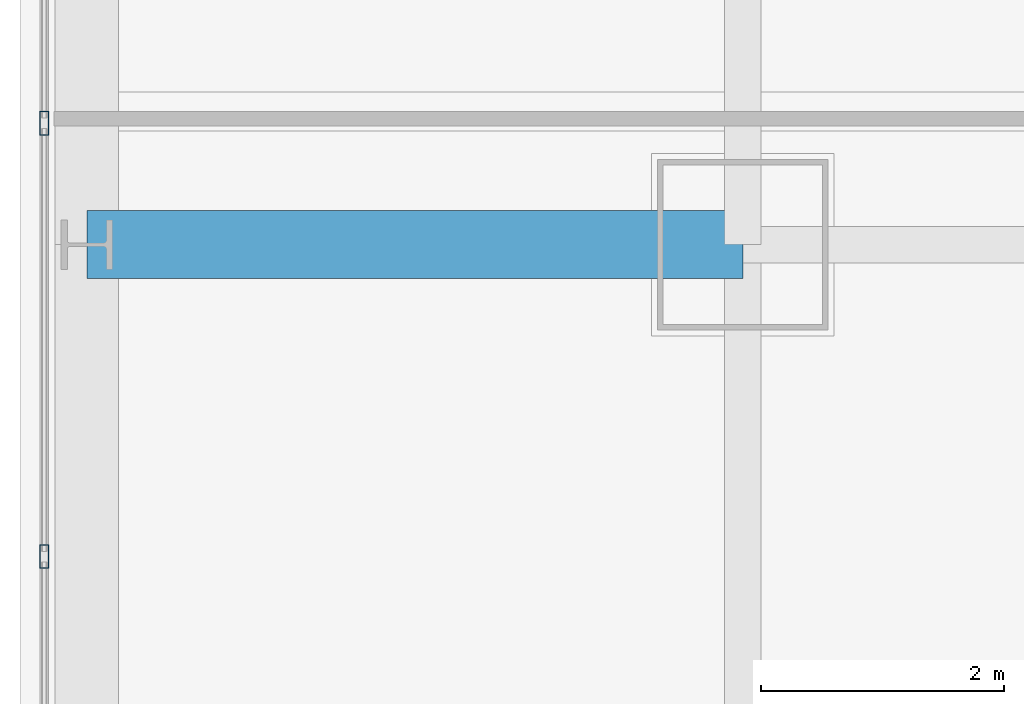
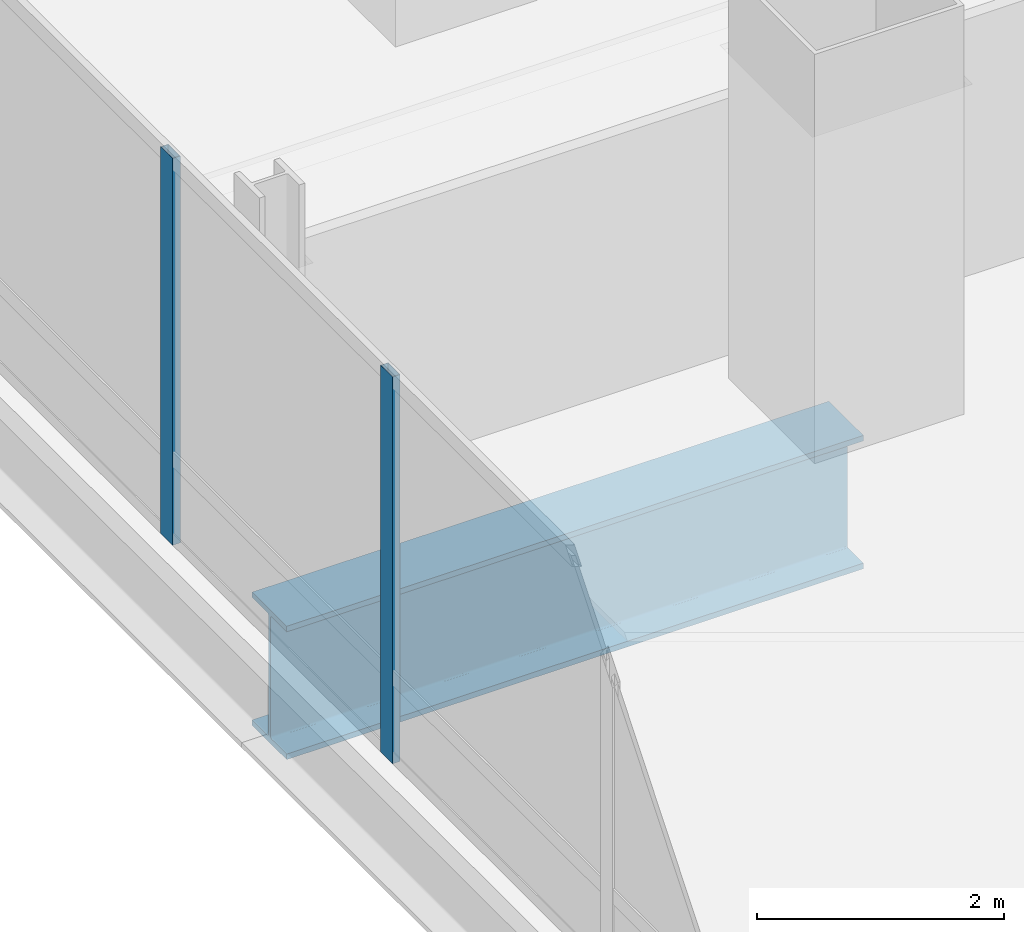
# One storey, part 9 of 36: 2 members, 1 beam, 1 element without a shape of its own.
"""IFC4 building model written with IfcOpenShell, lengths in metres."""

from ifc_helpers import new_model, si_unit, direction, frame, origin, origin_2d, place, context, subcontext, project, spatial, hollow_rectangle, i_section, extrude, material, material_profile, profile_set, type_object, element, aggregate, save


model = new_model("IFC4")

# Units and contexts
model_context = context("Model", 3, precision=1e-05, world=origin(), true_north=direction((0.0, 1.0)))
body_context = subcontext(model_context, "Body", "Model", "MODEL_VIEW")
ifc_project = project(units=[si_unit("LENGTHUNIT", "METRE"), si_unit("AREAUNIT", "SQUARE_METRE"), si_unit("VOLUMEUNIT", "CUBIC_METRE"), si_unit("PLANEANGLEUNIT", "RADIAN"), si_unit("MASSUNIT", "GRAM", prefix="KILO")], contexts=[model_context])

# Site, building, storey
site_placement = place(None, origin())
site = spatial("IfcSite", under=ifc_project, at=site_placement, CompositionType="ELEMENT")
building_placement = place(site_placement, origin())
building = spatial("IfcBuilding", under=site, at=building_placement, Name="Punatoya Terracotta Tower", CompositionType="ELEMENT")
storey_placement = place(building_placement, frame((0.0, 0.0, 196.5)))
storey = spatial("IfcBuildingStorey", under=building, at=storey_placement, Name="L46", CompositionType="ELEMENT", Elevation=196.5)

# Beam
ifc_material_1 = material(Name="Steel S460", Category="steel")
ifc_material_profile_1 = material_profile(ifc_material_1, i_section(OverallWidth=0.56005859375, OverallDepth=1.320068359375, WebThickness=0.035888671875, FlangeThickness=0.054931640625, FilletRadius=0.01806640625, at=origin_2d()))
ifc_profile_set_1 = profile_set([ifc_material_profile_1], Name="Steel S460")
beam_type = type_object("IfcBeamType", Name="BM-TG-BLK", PredefinedType="BEAM", material=ifc_profile_set_1)
beam_placement = place(storey_placement, frame((-24.5, -3.39990234375, -0.8798828125), z_axis=(1.0, 0.0, 0.0), x_axis=(0.0, 1.0, 0.0)))
element("IfcBeam", 1, at=beam_placement, inside=storey, type_object=beam_type, Name="BM-L46-CANT-W2", PredefinedType="BEAM", context=body_context, shape_type="SweptSolid", body=[
    extrude(i_section(OverallWidth=0.56005859375, OverallDepth=1.320068359375, WebThickness=0.035888671875, FlangeThickness=0.054931640625, FilletRadius=0.01806640625, at=origin_2d()), origin(), (0.0, 0.0, 1.0), 5.39990234375),
])

# Curtain wall, members
ifc_material_2 = material(Name="Aluminium 6063-T6 + Double Low-E Glass", Category="aluminium")
curtain_wall_type = type_object("IfcCurtainWallType", Name="CW-M2", PredefinedType="NOTDEFINED", material=ifc_material_2)
curtain_wall_placement = place(storey_placement, origin())
curtain_wall = element("IfcCurtainWall", 2, at=curtain_wall_placement, inside=storey, type_object=curtain_wall_type, Name="L46 Curtain Wall CW-L46-W13-1", PredefinedType="NOTDEFINED")
ifc_material_3 = material(Name="Aluminium 6063-T6", Category="aluminium")
ifc_material_profile_2 = material_profile(ifc_material_3, hollow_rectangle(XDim=0.072021484375, YDim=0.195068359375, WallThickness=0.00439453125, at=origin_2d()))
ifc_profile_set_2 = profile_set([ifc_material_profile_2], Name="Aluminium 6063-T6")
member_type = type_object("IfcMemberType", Name="CW-MUL-M2", PredefinedType="MULLION", material=ifc_profile_set_2)
member_1_placement = place(storey_placement, frame((-24.85009765625, -2.39990234375, 0.0), z_axis=(0.0, 0.0, 1.0), x_axis=(1.0, 0.0, 0.0)))
member_1 = element("IfcMember", 3, at=member_1_placement, type_object=member_type, Name="CW-L46-W13-1 Mullion 05", PredefinedType="MULLION", context=body_context, shape_type="SweptSolid", body=[
    extrude(hollow_rectangle(XDim=0.072021484375, YDim=0.195068359375, WallThickness=0.00439453125, at=origin_2d()), origin(), (0.0, 0.0, 1.0), 3.830078125),
])
member_2_placement = place(storey_placement, frame((-24.85009765625, -5.96728515625, 0.0), z_axis=(0.0, 0.0, 1.0), x_axis=(1.0, 0.0, 0.0)))
member_2 = element("IfcMember", 4, at=member_2_placement, type_object=member_type, Name="CW-L46-W13-1 Mullion 06", PredefinedType="MULLION", context=body_context, shape_type="SweptSolid", body=[
    extrude(hollow_rectangle(XDim=0.072021484375, YDim=0.195068359375, WallThickness=0.00439453125, at=origin_2d()), origin(), (0.0, 0.0, 1.0), 3.830078125),
])
aggregate(curtain_wall, [member_1, member_2])

save(model, "model.ifc")
